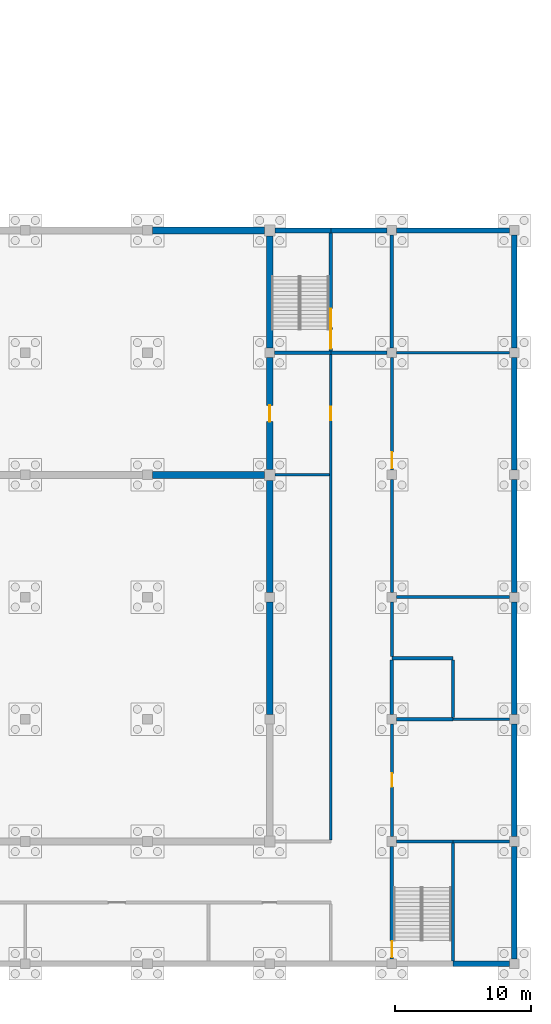
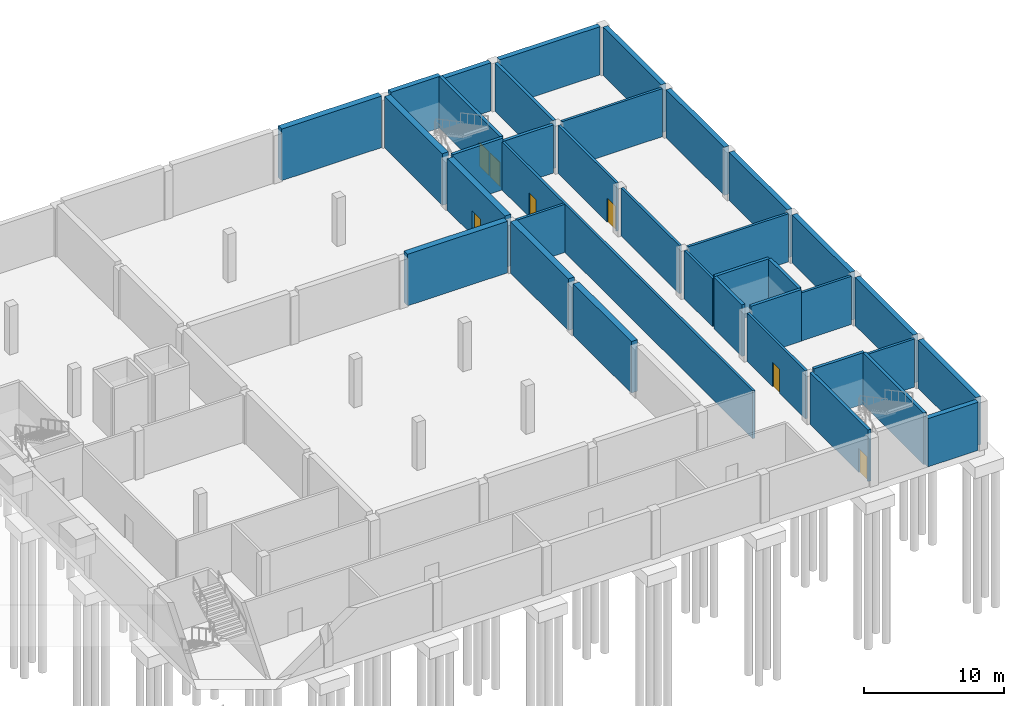
# One storey, part 9 of 12: 37 walls, 7 doors, 7 openings.
"""IFC4 building model written with IfcOpenShell, lengths in metres."""

from ifc_helpers import new_model, si_unit, direction, frame, frame_2d, origin, place, context, subcontext, project, spatial, rectangle, extrude, material, layer, layer_set, type_object, element, fill, save


model = new_model("IFC4")

# Units and contexts
model_context = context("Model", 3, precision=1e-05, world=origin(), true_north=direction((0.0, 1.0)))
body_context = subcontext(model_context, "Body", "Model", "MODEL_VIEW")
ifc_project = project(units=[si_unit("LENGTHUNIT", "METRE"), si_unit("AREAUNIT", "SQUARE_METRE"), si_unit("VOLUMEUNIT", "CUBIC_METRE"), si_unit("PLANEANGLEUNIT", "RADIAN"), si_unit("MASSUNIT", "GRAM", prefix="KILO")], contexts=[model_context])

# Site, building, storey
site_placement = place(None, origin())
site = spatial("IfcSite", under=ifc_project, at=site_placement, CompositionType="ELEMENT")
building_placement = place(site_placement, origin())
building = spatial("IfcBuilding", under=site, at=building_placement, Name="Firuza Court", CompositionType="ELEMENT")
storey_placement = place(building_placement, frame((0.0, 0.0, -4.5)))
storey = spatial("IfcBuildingStorey", under=building, at=storey_placement, Name="B1", CompositionType="ELEMENT", Elevation=-4.5)

# Walls
ifc_material_1 = material(Name="Blockwork", Category="masonry")
ifc_layer_1 = layer(ifc_material_1, 0.199951171875)
ifc_layer_set_1 = layer_set([ifc_layer_1], Name="Blockwork")
wall_type_1 = type_object("IfcWallType", Name="HALL PARTITION 200", PredefinedType="STANDARD", material=ifc_layer_set_1)
for number, where, z_axis, x_axis, name in (
    (1, (148.5, 0.0, 0.0), (0.0, 0.0, 1.0), (1.0, 0.0, 0.0), "Wall B1.18"),
    (2, (148.5, 9.0, 0.0), (0.0, 0.0, 1.0), (1.0, 0.0, 0.0), "Wall B1.21"),
):
    element("IfcWall", number, at=place(storey_placement, frame(where, z_axis=z_axis, x_axis=x_axis)), inside=storey, type_object=wall_type_1, Name=name, PredefinedType="STANDARD", context=body_context, shape_type="SweptSolid", body=[
        extrude(rectangle(XDim=4.14990234375, YDim=0.199951171875, at=frame_2d((2.074951171875, 0.0))), origin(), (0.0, 0.0, 1.0), 4.199951171875),
    ])
wall_1_placement = place(storey_placement, frame((144.35009765625, 18.0, 0.0), z_axis=(0.0, 0.0, 1.0), x_axis=(1.0, 0.0, 0.0)))
element("IfcWall", 3, at=wall_1_placement, inside=storey, type_object=wall_type_1, Name="Wall B1.26", PredefinedType="STANDARD", context=body_context, shape_type="SweptSolid", body=[
    extrude(rectangle(XDim=8.2998046875, YDim=0.199951171875, at=frame_2d((4.14990234375, 0.0))), origin(), (0.0, 0.0, 1.0), 4.199951171875),
])
wall_2_placement = place(storey_placement, frame((135.39990234375, 27.0, 0.0), z_axis=(0.0, 0.0, 1.0), x_axis=(1.0, 0.0, 0.0)))
element("IfcWall", 4, at=wall_2_placement, inside=storey, type_object=wall_type_1, Name="Wall B1.35", PredefinedType="STANDARD", context=body_context, shape_type="SweptSolid", body=[
    extrude(rectangle(XDim=4.0, YDim=0.199951171875, at=frame_2d((2.0, 0.0))), origin(), (0.0, 0.0, 1.0), 4.199951171875),
])
wall_3_placement = place(storey_placement, frame((144.35009765625, 36.0, 0.0), z_axis=(0.0, 0.0, 1.0), x_axis=(1.0, 0.0, 0.0)))
element("IfcWall", 5, at=wall_3_placement, inside=storey, type_object=wall_type_1, Name="Wall B1.38", PredefinedType="STANDARD", context=body_context, shape_type="SweptSolid", body=[
    extrude(rectangle(XDim=8.2998046875, YDim=0.199951171875, at=frame_2d((4.14990234375, 0.0))), origin(), (0.0, 0.0, 1.0), 4.199951171875),
])

# Wall, opening, door
wall_4_placement = place(storey_placement, frame((139.5, 0.10009765625, 0.0), z_axis=(0.0, 0.0, 1.0), x_axis=(0.0, 1.0, 0.0)))
wall_4 = element("IfcWall", 6, at=wall_4_placement, inside=storey, type_object=wall_type_1, Name="Wall B1.75", PredefinedType="STANDARD", context=body_context, shape_type="SweptSolid", body=[
    extrude(rectangle(XDim=35.77490234375, YDim=0.199951171875, at=frame_2d((17.887451171875, 0.0))), origin(), (0.0, 0.0, 1.0), 4.199951171875),
])
opening_1_placement = place(wall_4_placement, frame((30.919921875, 0.0, 0.0)))
opening_1 = element("IfcOpeningElement", 7, at=opening_1_placement, cuts=wall_4, Name="Opening H012", PredefinedType="OPENING", context=body_context, shape_type="SweptSolid", body=[
    extrude(rectangle(XDim=1.0, YDim=2.10009765625, at=frame_2d((0.5, 1.050048828125))), frame((0.0, 0.11181640625, 0.0), z_axis=(0.0, -1.0, 0.0), x_axis=(1.0, 0.0, 0.0)), (0.0, 0.0, 1.0), 0.223876953125),
])
ifc_material_2 = material(Name="Timber", Category="wood")
door_type_1 = type_object("IfcDoorType", Name="HALL DOOR 1000X2100", OperationType="SINGLE_SWING_LEFT", PredefinedType="DOOR", material=ifc_material_2)
door_1_placement = place(opening_1_placement, origin())
door_1 = element("IfcDoor", 8, at=door_1_placement, inside=storey, type_object=door_type_1, Name="Door Stage wing store", OperationType="SINGLE_SWING_LEFT", OverallHeight=2.10009765625, OverallWidth=1.0, PredefinedType="DOOR", context=body_context, shape_type="SweptSolid", body=[
    extrude(rectangle(XDim=1.0, YDim=2.10009765625, at=frame_2d((0.5, 1.050048828125))), frame((0.0, 0.02490234375, 0.0), z_axis=(0.0, -1.0, 0.0), x_axis=(1.0, 0.0, 0.0)), (0.0, 0.0, 1.0), 0.050048828125),
])
fill(opening_1, door_1)

wall_5_placement = place(storey_placement, frame((144.0, 0.35009765625, 0.0), z_axis=(0.0, 0.0, 1.0), x_axis=(0.0, 1.0, 0.0)))
wall_5 = element("IfcWall", 9, at=wall_5_placement, inside=storey, type_object=wall_type_1, Name="Wall B1.78", PredefinedType="STANDARD", context=body_context, shape_type="SweptSolid", body=[
    extrude(rectangle(XDim=8.2998046875, YDim=0.199951171875, at=frame_2d((4.14990234375, 0.0))), origin(), (0.0, 0.0, 1.0), 4.199951171875),
])
opening_2_placement = place(wall_5_placement, frame((3.669921875, 0.0, 0.0)))
opening_2 = element("IfcOpeningElement", 10, at=opening_2_placement, cuts=wall_5, Name="Opening H013", PredefinedType="OPENING", context=body_context, shape_type="SweptSolid", body=[
    extrude(rectangle(XDim=1.0, YDim=2.10009765625, at=frame_2d((0.5, 1.050048828125))), frame((0.0, 0.11181640625, 0.0), z_axis=(0.0, -1.0, 0.0), x_axis=(1.0, 0.0, 0.0)), (0.0, 0.0, 1.0), 0.223876953125),
])
door_2_placement = place(opening_2_placement, frame((1.0, 0.0, 0.0), z_axis=(0.0, 0.0, 1.0), x_axis=(-1.0, 0.0, 0.0)))
door_2 = element("IfcDoor", 11, at=door_2_placement, inside=storey, type_object=door_type_1, Name="Door Refuse store", OperationType="SINGLE_SWING_LEFT", OverallHeight=2.10009765625, OverallWidth=1.0, PredefinedType="DOOR", context=body_context, shape_type="SweptSolid", body=[
    extrude(rectangle(XDim=1.0, YDim=2.10009765625, at=frame_2d((0.5, 1.050048828125))), frame((0.0, 0.02490234375, 0.0), z_axis=(0.0, -1.0, 0.0), x_axis=(1.0, 0.0, 0.0)), (0.0, 0.0, 1.0), 0.050048828125),
])
fill(opening_2, door_2)

# Walls
wall_6_placement = place(storey_placement, frame((144.0, 13.625, 0.0), z_axis=(0.0, 0.0, 1.0), x_axis=(0.0, 1.0, 0.0)))
element("IfcWall", 12, at=wall_6_placement, inside=storey, type_object=wall_type_1, Name="Wall B1.80", PredefinedType="STANDARD", context=body_context, shape_type="SweptSolid", body=[
    extrude(rectangle(XDim=4.02490234375, YDim=0.199951171875, at=frame_2d((2.012451171875, 0.0))), origin(), (0.0, 0.0, 1.0), 4.199951171875),
])
wall_7_placement = place(storey_placement, frame((144.0, 18.35009765625, 0.0), z_axis=(0.0, 0.0, 1.0), x_axis=(0.0, 1.0, 0.0)))
element("IfcWall", 13, at=wall_7_placement, inside=storey, type_object=wall_type_1, Name="Wall B1.81", PredefinedType="STANDARD", context=body_context, shape_type="SweptSolid", body=[
    extrude(rectangle(XDim=8.2998046875, YDim=0.199951171875, at=frame_2d((4.14990234375, 0.0))), origin(), (0.0, 0.0, 1.0), 4.199951171875),
])

# Wall, opening, door
wall_8_placement = place(storey_placement, frame((144.0, 27.35009765625, 0.0), z_axis=(0.0, 0.0, 1.0), x_axis=(0.0, 1.0, 0.0)))
wall_8 = element("IfcWall", 14, at=wall_8_placement, inside=storey, type_object=wall_type_1, Name="Wall B1.82", PredefinedType="STANDARD", context=body_context, shape_type="SweptSolid", body=[
    extrude(rectangle(XDim=8.2998046875, YDim=0.199951171875, at=frame_2d((4.14990234375, 0.0))), origin(), (0.0, 0.0, 1.0), 4.199951171875),
])
opening_3_placement = place(wall_8_placement, frame((0.1201171875, 0.0, 0.0)))
opening_3 = element("IfcOpeningElement", 15, at=opening_3_placement, cuts=wall_8, Name="Opening H014", PredefinedType="OPENING", context=body_context, shape_type="SweptSolid", body=[
    extrude(rectangle(XDim=1.199951171875, YDim=2.10009765625, at=frame_2d((0.60009765625, 1.050048828125))), frame((0.0, 0.11181640625, 0.0), z_axis=(0.0, -1.0, 0.0), x_axis=(1.0, 0.0, 0.0)), (0.0, 0.0, 1.0), 0.223876953125),
])
ifc_material_3 = material(Name="Timber", Category="wood")
door_type_2 = type_object("IfcDoorType", Name="HALL DOOR 1200X2100", OperationType="SINGLE_SWING_LEFT", PredefinedType="DOOR", material=ifc_material_3)
door_3_placement = place(opening_3_placement, frame((1.199951171875, 0.0, 0.0), z_axis=(0.0, 0.0, 1.0), x_axis=(-1.0, 0.0, 0.0)))
door_3 = element("IfcDoor", 16, at=door_3_placement, inside=storey, type_object=door_type_2, Name="Door Dimmer and rack room", OperationType="SINGLE_SWING_RIGHT", OverallHeight=2.10009765625, OverallWidth=1.199951171875, PredefinedType="DOOR", context=body_context, shape_type="SweptSolid", body=[
    extrude(rectangle(XDim=1.199951171875, YDim=2.10009765625, at=frame_2d((0.60009765625, 1.050048828125))), frame((0.0, 0.02490234375, 0.0), z_axis=(0.0, -1.0, 0.0), x_axis=(1.0, 0.0, 0.0)), (0.0, 0.0, 1.0), 0.050048828125),
])
fill(opening_3, door_3)

# Walls
ifc_material_4 = material(Name="Concrete C40/50", Category="concrete")
ifc_layer_2 = layer(ifc_material_4, 0.25)
ifc_layer_set_2 = layer_set([ifc_layer_2], Name="Concrete C40/50")
wall_type_2 = type_object("IfcWallType", Name="HALL RC WALL 250", PredefinedType="STANDARD", material=ifc_layer_set_2)
for number, where, z_axis, x_axis, name in (
    (17, (144.35009765625, 0.0, 0.0), (0.0, 0.0, 1.0), (1.0, 0.0, 0.0), "Wall B1.17"),
    (18, (144.35009765625, 9.0, 0.0), (0.0, 0.0, 1.0), (1.0, 0.0, 0.0), "Wall B1.20"),
):
    element("IfcWall", number, at=place(storey_placement, frame(where, z_axis=z_axis, x_axis=x_axis)), inside=storey, type_object=wall_type_2, Name=name, PredefinedType="STANDARD", context=body_context, shape_type="SweptSolid", body=[
        extrude(rectangle(XDim=4.14990234375, YDim=0.25, at=frame_2d((2.074951171875, 0.0))), origin(), (0.0, 0.0, 1.0), 4.5),
    ])
wall_9_placement = place(storey_placement, frame((144.0, 13.5, 0.0), z_axis=(0.0, 0.0, 1.0), x_axis=(1.0, 0.0, 0.0)))
element("IfcWall", 19, at=wall_9_placement, inside=storey, type_object=wall_type_2, Name="Wall B1.22", PredefinedType="STANDARD", context=body_context, shape_type="SweptSolid", body=[
    extrude(rectangle(XDim=4.5, YDim=0.25, at=frame_2d((2.25, 0.0))), origin(), (0.0, 0.0, 1.0), 4.5),
])
wall_10_placement = place(storey_placement, frame((135.35009765625, 36.0, 0.0), z_axis=(0.0, 0.0, 1.0), x_axis=(1.0, 0.0, 0.0)))
element("IfcWall", 20, at=wall_10_placement, inside=storey, type_object=wall_type_2, Name="Wall B1.36", PredefinedType="STANDARD", context=body_context, shape_type="SweptSolid", body=[
    extrude(rectangle(XDim=4.14990234375, YDim=0.25, at=frame_2d((2.074951171875, 0.0))), origin(), (0.0, 0.0, 1.0), 4.5),
])
wall_11_placement = place(storey_placement, frame((139.5, 36.0, 0.0), z_axis=(0.0, 0.0, 1.0), x_axis=(1.0, 0.0, 0.0)))
element("IfcWall", 21, at=wall_11_placement, inside=storey, type_object=wall_type_2, Name="Wall B1.37", PredefinedType="STANDARD", context=body_context, shape_type="SweptSolid", body=[
    extrude(rectangle(XDim=4.14990234375, YDim=0.25, at=frame_2d((2.074951171875, 0.0))), origin(), (0.0, 0.0, 1.0), 4.199951171875),
])

# Wall, openings, doors
wall_12_placement = place(storey_placement, frame((139.5, 36.125, 0.0), z_axis=(0.0, 0.0, 1.0), x_axis=(0.0, 1.0, 0.0)))
wall_12 = element("IfcWall", 22, at=wall_12_placement, inside=storey, type_object=wall_type_2, Name="Wall B1.76", PredefinedType="STANDARD", context=body_context, shape_type="SweptSolid", body=[
    extrude(rectangle(XDim=8.675048828125, YDim=0.25, at=frame_2d((4.33740234375, 0.0))), origin(), (0.0, 0.0, 1.0), 4.5),
])
opening_4_placement = place(wall_12_placement, frame((0.169921875, 0.0, 0.0)))
opening_4 = element("IfcOpeningElement", 23, at=opening_4_placement, cuts=wall_12, Name="Opening H002", PredefinedType="OPENING", context=body_context, shape_type="SweptSolid", body=[
    extrude(rectangle(XDim=1.39990234375, YDim=2.10009765625, at=frame_2d((0.699951171875, 1.050048828125))), frame((0.0, 0.136962890625, 0.0), z_axis=(0.0, -1.0, 0.0), x_axis=(1.0, 0.0, 0.0)), (0.0, 0.0, 1.0), 0.27392578125),
])
opening_5_placement = place(wall_12_placement, frame((1.719970703125, 0.0, 0.0)))
opening_5 = element("IfcOpeningElement", 24, at=opening_5_placement, cuts=wall_12, Name="Opening H003", PredefinedType="OPENING", context=body_context, shape_type="SweptSolid", body=[
    extrude(rectangle(XDim=1.39990234375, YDim=2.10009765625, at=frame_2d((0.699951171875, 1.050048828125))), frame((0.0, 0.136962890625, 0.0), z_axis=(0.0, -1.0, 0.0), x_axis=(1.0, 0.0, 0.0)), (0.0, 0.0, 1.0), 0.27392578125),
])
ifc_material_5 = material(Name="Timber", Category="wood")
door_type_3 = type_object("IfcDoorType", Name="HALL DOOR 1400X2100", OperationType="DOUBLE_DOOR_SINGLE_SWING", PredefinedType="DOOR", material=ifc_material_5)
door_4_placement = place(opening_4_placement, origin())
door_4 = element("IfcDoor", 25, at=door_4_placement, inside=storey, type_object=door_type_3, Name="Stair H4 door", OperationType="DOUBLE_DOOR_SINGLE_SWING", OverallHeight=2.10009765625, OverallWidth=1.39990234375, PredefinedType="DOOR", context=body_context, shape_type="SweptSolid", body=[
    extrude(rectangle(XDim=1.39990234375, YDim=2.10009765625, at=frame_2d((0.699951171875, 1.050048828125))), frame((0.0, 0.02490234375, 0.0), z_axis=(0.0, -1.0, 0.0), x_axis=(1.0, 0.0, 0.0)), (0.0, 0.0, 1.0), 0.050048828125),
])
fill(opening_4, door_4)
door_5_placement = place(opening_5_placement, origin())
door_5 = element("IfcDoor", 26, at=door_5_placement, inside=storey, type_object=door_type_3, Name="Stair H4 door", OperationType="DOUBLE_DOOR_SINGLE_SWING", OverallHeight=2.10009765625, OverallWidth=1.39990234375, PredefinedType="DOOR", context=body_context, shape_type="SweptSolid", body=[
    extrude(rectangle(XDim=1.39990234375, YDim=2.10009765625, at=frame_2d((0.699951171875, 1.050048828125))), frame((0.0, 0.02490234375, 0.0), z_axis=(0.0, -1.0, 0.0), x_axis=(1.0, 0.0, 0.0)), (0.0, 0.0, 1.0), 0.050048828125),
])
fill(opening_5, door_5)

# Wall, opening, door
wall_13_placement = place(storey_placement, frame((144.0, -8.64990234375, 0.0), z_axis=(0.0, 0.0, 1.0), x_axis=(0.0, 1.0, 0.0)))
wall_13 = element("IfcWall", 27, at=wall_13_placement, inside=storey, type_object=wall_type_2, Name="Wall B1.77", PredefinedType="STANDARD", context=body_context, shape_type="SweptSolid", body=[
    extrude(rectangle(XDim=8.2998046875, YDim=0.25, at=frame_2d((4.14990234375, 0.0))), origin(), (0.0, 0.0, 1.0), 4.5),
])
opening_6_placement = place(wall_13_placement, frame((0.1201171875, 0.0, 0.0)))
opening_6 = element("IfcOpeningElement", 28, at=opening_6_placement, cuts=wall_13, Name="Opening H005", PredefinedType="OPENING", context=body_context, shape_type="SweptSolid", body=[
    extrude(rectangle(XDim=1.199951171875, YDim=2.10009765625, at=frame_2d((0.60009765625, 1.050048828125))), frame((0.0, 0.136962890625, 0.0), z_axis=(0.0, -1.0, 0.0), x_axis=(1.0, 0.0, 0.0)), (0.0, 0.0, 1.0), 0.27392578125),
])
door_6_placement = place(opening_6_placement, frame((1.199951171875, 0.0, 0.0), z_axis=(0.0, 0.0, 1.0), x_axis=(-1.0, 0.0, 0.0)))
door_6 = element("IfcDoor", 29, at=door_6_placement, inside=storey, type_object=door_type_2, Name="Stair H2 door", OperationType="SINGLE_SWING_RIGHT", OverallHeight=2.10009765625, OverallWidth=1.199951171875, PredefinedType="DOOR", context=body_context, shape_type="SweptSolid", body=[
    extrude(rectangle(XDim=1.199951171875, YDim=2.10009765625, at=frame_2d((0.60009765625, 1.050048828125))), frame((0.0, 0.02490234375, 0.0), z_axis=(0.0, -1.0, 0.0), x_axis=(1.0, 0.0, 0.0)), (0.0, 0.0, 1.0), 0.050048828125),
])
fill(opening_6, door_6)

# Walls
wall_14_placement = place(storey_placement, frame((144.0, 9.35009765625, 0.0), z_axis=(0.0, 0.0, 1.0), x_axis=(0.0, 1.0, 0.0)))
element("IfcWall", 30, at=wall_14_placement, inside=storey, type_object=wall_type_2, Name="Wall B1.79", PredefinedType="STANDARD", context=body_context, shape_type="SweptSolid", body=[
    extrude(rectangle(XDim=4.02490234375, YDim=0.25, at=frame_2d((2.012451171875, 0.0))), origin(), (0.0, 0.0, 1.0), 4.5),
])
wall_15_placement = place(storey_placement, frame((144.0, 36.35009765625, 0.0), z_axis=(0.0, 0.0, 1.0), x_axis=(0.0, 1.0, 0.0)))
element("IfcWall", 31, at=wall_15_placement, inside=storey, type_object=wall_type_2, Name="Wall B1.83", PredefinedType="STANDARD", context=body_context, shape_type="SweptSolid", body=[
    extrude(rectangle(XDim=8.2998046875, YDim=0.25, at=frame_2d((4.14990234375, 0.0))), origin(), (0.0, 0.0, 1.0), 4.199951171875),
])
wall_16_placement = place(storey_placement, frame((148.5, -8.800048828125, 0.0), z_axis=(0.0, 0.0, 1.0), x_axis=(0.0, 1.0, 0.0)))
element("IfcWall", 32, at=wall_16_placement, inside=storey, type_object=wall_type_2, Name="Wall B1.84", PredefinedType="STANDARD", context=body_context, shape_type="SweptSolid", body=[
    extrude(rectangle(XDim=8.675048828125, YDim=0.25, at=frame_2d((4.33740234375, 0.0))), origin(), (0.0, 0.0, 1.0), 4.5),
])
wall_17_placement = place(storey_placement, frame((148.5, 9.125, 0.0), z_axis=(0.0, 0.0, 1.0), x_axis=(0.0, 1.0, 0.0)))
element("IfcWall", 33, at=wall_17_placement, inside=storey, type_object=wall_type_2, Name="Wall B1.85", PredefinedType="STANDARD", context=body_context, shape_type="SweptSolid", body=[
    extrude(rectangle(XDim=4.25, YDim=0.25, at=frame_2d((2.125, 0.0))), origin(), (0.0, 0.0, 1.0), 4.5),
])
ifc_layer_3 = layer(ifc_material_4, 0.39990234375)
ifc_layer_set_3 = layer_set([ifc_layer_3], Name="Concrete C40/50")
wall_type_3 = type_object("IfcWallType", Name="HALL RC WALL 400", PredefinedType="STANDARD", material=ifc_layer_set_3)
wall_18_placement = place(storey_placement, frame((148.5, -9.0, 0.0), z_axis=(0.0, 0.0, 1.0), x_axis=(1.0, 0.0, 0.0)))
element("IfcWall", 34, at=wall_18_placement, inside=storey, type_object=wall_type_3, Name="Wall B1.9", PredefinedType="STANDARD", context=body_context, shape_type="SweptSolid", body=[
    extrude(rectangle(XDim=4.14990234375, YDim=0.39990234375, at=frame_2d((2.074951171875, 0.0))), origin(), (0.0, 0.0, 1.0), 4.199951171875),
])
wall_19_placement = place(storey_placement, frame((126.35009765625, 45.0, 0.0), z_axis=(0.0, 0.0, 1.0), x_axis=(1.0, 0.0, 0.0)))
element("IfcWall", 35, at=wall_19_placement, inside=storey, type_object=wall_type_3, Name="Wall B1.43", PredefinedType="STANDARD", context=body_context, shape_type="SweptSolid", body=[
    extrude(rectangle(XDim=8.25, YDim=0.5, at=frame_2d((4.125, 0.0))), origin(), (0.0, 0.0, 1.0), 4.5),
])
wall_20_placement = place(storey_placement, frame((135.39990234375, 45.0, 0.0), z_axis=(0.0, 0.0, 1.0), x_axis=(1.0, 0.0, 0.0)))
element("IfcWall", 36, at=wall_20_placement, inside=storey, type_object=wall_type_3, Name="Wall B1.44", PredefinedType="STANDARD", context=body_context, shape_type="SweptSolid", body=[
    extrude(rectangle(XDim=4.10009765625, YDim=0.39990234375, at=frame_2d((2.050048828125, 0.0))), origin(), (0.0, 0.0, 1.0), 4.5),
])
wall_21_placement = place(storey_placement, frame((139.5, 45.0, 0.0), z_axis=(0.0, 0.0, 1.0), x_axis=(1.0, 0.0, 0.0)))
element("IfcWall", 37, at=wall_21_placement, inside=storey, type_object=wall_type_3, Name="Wall B1.45", PredefinedType="STANDARD", context=body_context, shape_type="SweptSolid", body=[
    extrude(rectangle(XDim=4.14990234375, YDim=0.39990234375, at=frame_2d((2.074951171875, 0.0))), origin(), (0.0, 0.0, 1.0), 4.199951171875),
])
for number, where, z_axis, x_axis, name in (
    (38, (144.35009765625, 45.0, 0.0), (0.0, 0.0, 1.0), (1.0, 0.0, 0.0), "Wall B1.46"),
    (39, (153.0, -8.64990234375, 0.0), (0.0, 0.0, 1.0), (0.0, 1.0, 0.0), "Wall B1.86"),
    (40, (153.0, 0.35009765625, 0.0), (0.0, 0.0, 1.0), (0.0, 1.0, 0.0), "Wall B1.87"),
    (41, (153.0, 9.35009765625, 0.0), (0.0, 0.0, 1.0), (0.0, 1.0, 0.0), "Wall B1.88"),
    (42, (153.0, 18.35009765625, 0.0), (0.0, 0.0, 1.0), (0.0, 1.0, 0.0), "Wall B1.89"),
    (43, (153.0, 27.35009765625, 0.0), (0.0, 0.0, 1.0), (0.0, 1.0, 0.0), "Wall B1.90"),
    (44, (153.0, 36.35009765625, 0.0), (0.0, 0.0, 1.0), (0.0, 1.0, 0.0), "Wall B1.91"),
):
    element("IfcWall", number, at=place(storey_placement, frame(where, z_axis=z_axis, x_axis=x_axis)), inside=storey, type_object=wall_type_3, Name=name, PredefinedType="STANDARD", context=body_context, shape_type="SweptSolid", body=[
        extrude(rectangle(XDim=8.2998046875, YDim=0.39990234375, at=frame_2d((4.14990234375, 0.0))), origin(), (0.0, 0.0, 1.0), 4.199951171875),
    ])
ifc_layer_4 = layer(ifc_material_4, 0.5)
ifc_layer_set_4 = layer_set([ifc_layer_4], Name="Concrete C40/50")
wall_type_4 = type_object("IfcWallType", Name="HALL RC WALL 500", PredefinedType="STANDARD", material=ifc_layer_set_4)
wall_22_placement = place(storey_placement, frame((126.35009765625, 27.0, 0.0), z_axis=(0.0, 0.0, 1.0), x_axis=(1.0, 0.0, 0.0)))
element("IfcWall", 45, at=wall_22_placement, inside=storey, type_object=wall_type_4, Name="Wall B1.34", PredefinedType="STANDARD", context=body_context, shape_type="SweptSolid", body=[
    extrude(rectangle(XDim=8.25, YDim=0.5, at=frame_2d((4.125, 0.0))), origin(), (0.0, 0.0, 1.0), 4.5),
])
wall_23_placement = place(storey_placement, frame((135.0, 9.35009765625, 0.0), z_axis=(0.0, 0.0, 1.0), x_axis=(0.0, 1.0, 0.0)))
element("IfcWall", 46, at=wall_23_placement, inside=storey, type_object=wall_type_4, Name="Wall B1.70", PredefinedType="STANDARD", context=body_context, shape_type="SweptSolid", body=[
    extrude(rectangle(XDim=8.2998046875, YDim=0.5, at=frame_2d((4.14990234375, 0.0))), origin(), (0.0, 0.0, 1.0), 4.5),
])
wall_24_placement = place(storey_placement, frame((135.0, 18.35009765625, 0.0), z_axis=(0.0, 0.0, 1.0), x_axis=(0.0, 1.0, 0.0)))
element("IfcWall", 47, at=wall_24_placement, inside=storey, type_object=wall_type_4, Name="Wall B1.71", PredefinedType="STANDARD", context=body_context, shape_type="SweptSolid", body=[
    extrude(rectangle(XDim=8.25, YDim=0.5, at=frame_2d((4.125, 0.0))), origin(), (0.0, 0.0, 1.0), 4.5),
])

# Wall, opening, door
wall_25_placement = place(storey_placement, frame((135.0, 27.39990234375, 0.0), z_axis=(0.0, 0.0, 1.0), x_axis=(0.0, 1.0, 0.0)))
wall_25 = element("IfcWall", 48, at=wall_25_placement, inside=storey, type_object=wall_type_4, Name="Wall B1.72", PredefinedType="STANDARD", context=body_context, shape_type="SweptSolid", body=[
    extrude(rectangle(XDim=8.25, YDim=0.5, at=frame_2d((4.125, 0.0))), origin(), (0.0, 0.0, 1.0), 4.5),
])
opening_7_placement = place(wall_25_placement, frame((3.52001953125, 0.0, 0.0)))
opening_7 = element("IfcOpeningElement", 49, at=opening_7_placement, cuts=wall_25, Name="Opening H001", PredefinedType="OPENING", context=body_context, shape_type="SweptSolid", body=[
    extrude(rectangle(XDim=1.199951171875, YDim=2.10009765625, at=frame_2d((0.60009765625, 1.050048828125))), frame((0.0, 0.261962890625, 0.0), z_axis=(0.0, -1.0, 0.0), x_axis=(1.0, 0.0, 0.0)), (0.0, 0.0, 1.0), 0.52392578125),
])
door_7_placement = place(opening_7_placement, frame((1.199951171875, 0.0, 0.0), z_axis=(0.0, 0.0, 1.0), x_axis=(-1.0, 0.0, 0.0)))
door_7 = element("IfcDoor", 50, at=door_7_placement, inside=storey, type_object=door_type_2, Name="Door Under-stage machinery room to Stage wing store", OperationType="SINGLE_SWING_RIGHT", OverallHeight=2.10009765625, OverallWidth=1.199951171875, PredefinedType="DOOR", context=body_context, shape_type="SweptSolid", body=[
    extrude(rectangle(XDim=1.199951171875, YDim=2.10009765625, at=frame_2d((0.60009765625, 1.050048828125))), frame((0.0, 0.02490234375, 0.0), z_axis=(0.0, -1.0, 0.0), x_axis=(1.0, 0.0, 0.0)), (0.0, 0.0, 1.0), 0.050048828125),
])
fill(opening_7, door_7)

# Wall
wall_26_placement = place(storey_placement, frame((135.0, 36.35009765625, 0.0), z_axis=(0.0, 0.0, 1.0), x_axis=(0.0, 1.0, 0.0)))
element("IfcWall", 51, at=wall_26_placement, inside=storey, type_object=wall_type_4, Name="Wall B1.73", PredefinedType="STANDARD", context=body_context, shape_type="SweptSolid", body=[
    extrude(rectangle(XDim=8.25, YDim=0.5, at=frame_2d((4.125, 0.0))), origin(), (0.0, 0.0, 1.0), 4.5),
])

save(model, "model.ifc")
